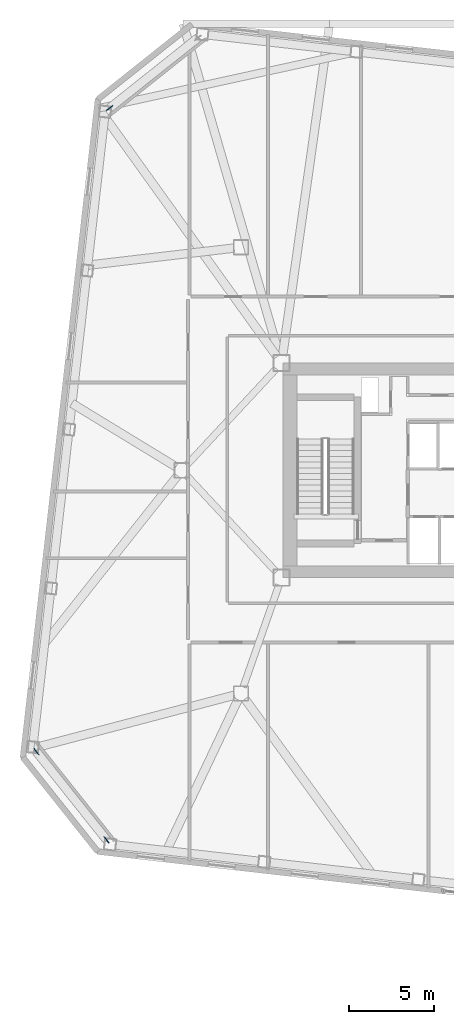
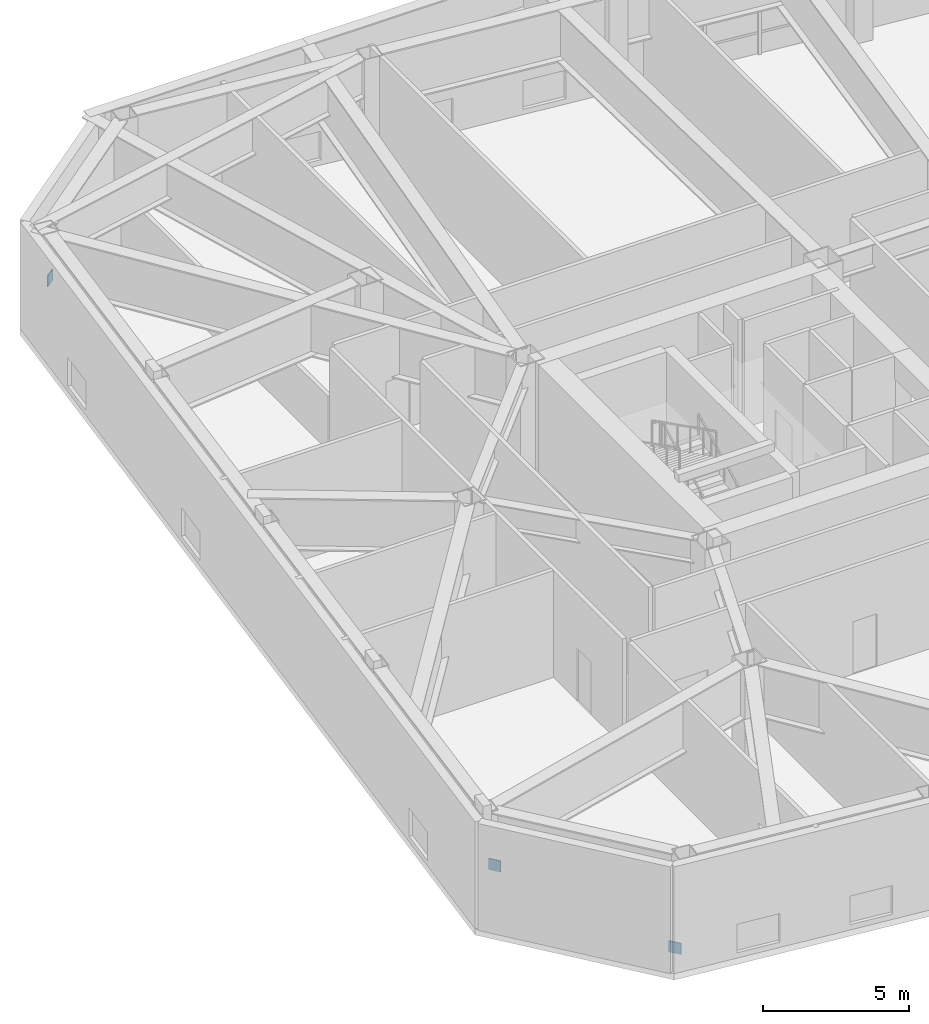
# One storey, part 15 of 19: 3 discrete accessories.
"""IFC4 building model written with IfcOpenShell, lengths in metres."""

from ifc_helpers import new_model, si_unit, direction, frame, origin, origin_2d, place, context, subcontext, project, spatial, rectangle, extrude, material, type_object, element, save


model = new_model("IFC4")

# Units and contexts
model_context = context("Model", 3, precision=1e-05, world=origin(), true_north=direction((0.0, 1.0)))
body_context = subcontext(model_context, "Body", "Model", "MODEL_VIEW")
ifc_project = project(units=[si_unit("LENGTHUNIT", "METRE"), si_unit("AREAUNIT", "SQUARE_METRE"), si_unit("VOLUMEUNIT", "CUBIC_METRE"), si_unit("PLANEANGLEUNIT", "RADIAN"), si_unit("MASSUNIT", "GRAM", prefix="KILO")], contexts=[model_context])

# Site, building, storey
site_placement = place(None, origin())
site = spatial("IfcSite", under=ifc_project, at=site_placement, CompositionType="ELEMENT")
building_placement = place(site_placement, origin())
building = spatial("IfcBuilding", under=site, at=building_placement, Name="Tavrogorsk Clinical Tower", CompositionType="ELEMENT")
storey_placement = place(building_placement, frame((0.0, 0.0, 141.39990234375)))
storey = spatial("IfcBuildingStorey", under=building, at=storey_placement, Name="L32", CompositionType="ELEMENT", Elevation=141.39990234375)

# Discrete accessories
ifc_material = material(Name="Structural steel S440", Category="steel")
discrete_accessory_type = type_object("IfcDiscreteAccessoryType", Name="GussetPlateBracket_25", PredefinedType="BRACKET", material=ifc_material)
for number, where, z_axis, x_axis, name in (
    (1, (-32.267333984375, 21.438720703125, 1.9091796875), (0.0, 0.0, 1.0), (-0.782608156852, -0.622514636638, 0.0), "L32 Brace Gusset Plate EXOCRN-L32-3-B"),
    (2, (-32.45947265625, -21.85791015625, 0.160888671875), (0.0, 0.0, 1.0), (-0.622514636638, 0.782608156852, 0.0), "L32 Brace Gusset Plate EXOCRN-L32-4-A"),
    (3, (-36.6064453125, -16.64453125, 1.9091796875), (0.0, 0.0, 1.0), (-0.622514636638, 0.782608156852, 0.0), "L32 Brace Gusset Plate EXOCRN-L32-4-B"),
):
    element("IfcDiscreteAccessory", number, at=place(storey_placement, frame(where, z_axis=z_axis, x_axis=x_axis)), inside=storey, type_object=discrete_accessory_type, Name=name, PredefinedType="BRACKET", context=body_context, shape_type="SweptSolid", body=[
        extrude(rectangle(XDim=0.4599609375, YDim=0.0400390625, at=origin_2d()), origin(), (0.0, 0.0, 1.0), 0.4599609375),
    ])

save(model, "model.ifc")
